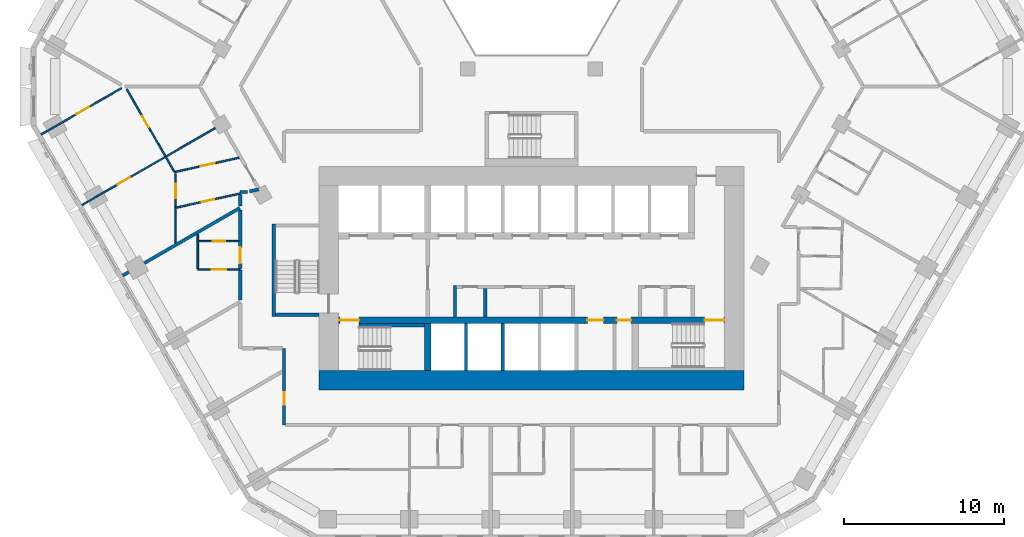
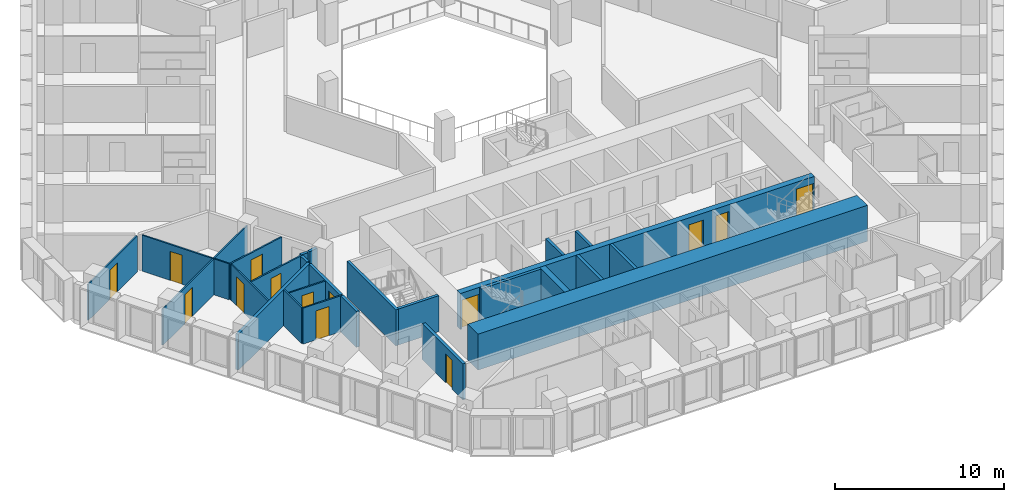
# One storey, part 4 of 21: 27 walls, 14 doors, 14 openings.
"""IFC4 building model written with IfcOpenShell, lengths in metres."""

from ifc_helpers import new_model, si_unit, direction, frame, frame_2d, origin, place, context, subcontext, project, spatial, rectangle, extrude, material, layer, layer_set, type_object, element, fill, save


model = new_model("IFC4")

# Units and contexts
model_context = context("Model", 3, precision=1e-05, world=origin(), true_north=direction((0.0, 1.0)))
body_context = subcontext(model_context, "Body", "Model", "MODEL_VIEW")
ifc_project = project(units=[si_unit("LENGTHUNIT", "METRE"), si_unit("AREAUNIT", "SQUARE_METRE"), si_unit("VOLUMEUNIT", "CUBIC_METRE"), si_unit("PLANEANGLEUNIT", "RADIAN"), si_unit("MASSUNIT", "GRAM", prefix="KILO")], contexts=[model_context])

# Site, building, storey
site_placement = place(None, origin())
site = spatial("IfcSite", under=ifc_project, at=site_placement, CompositionType="ELEMENT")
building_placement = place(site_placement, origin())
building = spatial("IfcBuilding", under=site, at=building_placement, Name="Beryl Residences", CompositionType="ELEMENT")
storey_placement = place(building_placement, frame((0.0, 0.0, 59.39990234375)))
storey = spatial("IfcBuildingStorey", under=building, at=storey_placement, Name="L18", CompositionType="ELEMENT", Elevation=59.39990234375)

# Wall, opening, door
ifc_material_1 = material(Name="Gypsum board partition on steel studs", Category="steel")
ifc_layer_1 = layer(ifc_material_1, 0.10009765625)
ifc_layer_set_1 = layer_set([ifc_layer_1], Name="PT1 partition 100 mm gypsum board on steel studs")
wall_type_1 = type_object("IfcWallType", Name="PT1 partition 100 mm gypsum board on steel studs", PredefinedType="PARTITIONING", material=ifc_layer_set_1)
wall_1_placement = place(storey_placement, frame((-25.35791015625, -0.174072265625, 0.0), z_axis=(0.0, 0.0, 1.0), x_axis=(0.500093956194, -0.865971151354, 0.0)))
wall_1 = element("IfcWall", 1, at=wall_1_placement, inside=storey, type_object=wall_type_1, Name="Wall PT1 L18 002", PredefinedType="PARTITIONING", context=body_context, shape_type="SweptSolid", body=[
    extrude(rectangle(XDim=4.873046875, YDim=0.10009765625, at=frame_2d((2.4365234375, 0.0))), origin(), (0.0, 0.0, 1.0), 2.60009765625),
])
opening_1_placement = place(wall_1_placement, frame((1.93701171875, 0.0, 0.0)))
opening_1 = element("IfcOpeningElement", 2, at=opening_1_placement, cuts=wall_1, Name="Opening D0351", PredefinedType="OPENING", context=body_context, shape_type="SweptSolid", body=[
    extrude(rectangle(XDim=0.800048828125, YDim=2.10009765625, at=frame_2d((0.39990234375, 1.050048828125))), frame((0.0, 0.06005859375, 0.0), z_axis=(0.0, -1.0, 0.0), x_axis=(1.0, 0.0, 0.0)), (0.0, 0.0, 1.0), 0.1201171875),
])
ifc_material_2 = material(Name="Timber door leaf", Category="wood")
door_type_1 = type_object("IfcDoorType", Name="D3 bathroom door 800 x 2100 mm", OperationType="SINGLE_SWING_LEFT", PredefinedType="DOOR", material=ifc_material_2)
door_1_placement = place(opening_1_placement, origin())
door_1 = element("IfcDoor", 3, at=door_1_placement, inside=storey, type_object=door_type_1, Name="Door D0351 L18 001", OperationType="SINGLE_SWING_LEFT", OverallHeight=2.10009765625, OverallWidth=0.800048828125, PredefinedType="DOOR", context=body_context, shape_type="SweptSolid", body=[
    extrude(rectangle(XDim=0.800048828125, YDim=2.10009765625, at=frame_2d((0.39990234375, 1.050048828125))), frame((0.0, 0.02490234375, 0.0), z_axis=(0.0, -1.0, 0.0), x_axis=(1.0, 0.0, 0.0)), (0.0, 0.0, 1.0), 0.050048828125),
])
fill(opening_1, door_1)

# Wall
wall_2_placement = place(storey_placement, frame((-20.909912109375, -9.242919921875, 0.0), z_axis=(0.0, 0.0, 1.0), x_axis=(0.0, -1.0, 0.0)))
element("IfcWall", 4, at=wall_2_placement, inside=storey, type_object=wall_type_1, Name="Wall PT1 L18 012", PredefinedType="PARTITIONING", context=body_context, shape_type="SweptSolid", body=[
    extrude(rectangle(XDim=2.1630859375, YDim=0.10009765625, at=frame_2d((1.08154296875, 0.0))), origin(), (0.0, 0.0, 1.0), 2.60009765625),
])

# Wall, opening, door
wall_3_placement = place(storey_placement, frame((-20.860107421875, -9.68896484375, 0.0), z_axis=(0.0, 0.0, 1.0), x_axis=(1.0, 0.0, 0.0)))
wall_3 = element("IfcWall", 5, at=wall_3_placement, inside=storey, type_object=wall_type_1, Name="Wall PT1 L18 029", PredefinedType="PARTITIONING", context=body_context, shape_type="SweptSolid", body=[
    extrude(rectangle(XDim=2.510009765625, YDim=0.10009765625, at=frame_2d((1.2548828125, 0.0))), origin(), (0.0, 0.0, 1.0), 2.60009765625),
])
opening_2_placement = place(wall_3_placement, frame((0.8798828125, 0.0, 0.0)))
opening_2 = element("IfcOpeningElement", 6, at=opening_2_placement, cuts=wall_3, Name="Opening D0354", PredefinedType="OPENING", context=body_context, shape_type="SweptSolid", body=[
    extrude(rectangle(XDim=0.800048828125, YDim=2.10009765625, at=frame_2d((0.39990234375, 1.050048828125))), frame((0.0, 0.06005859375, 0.0), z_axis=(0.0, -1.0, 0.0), x_axis=(1.0, 0.0, 0.0)), (0.0, 0.0, 1.0), 0.1201171875),
])
door_2_placement = place(opening_2_placement, origin())
door_2 = element("IfcDoor", 7, at=door_2_placement, inside=storey, type_object=door_type_1, Name="Door D0354 L18 001", OperationType="SINGLE_SWING_RIGHT", OverallHeight=2.10009765625, OverallWidth=0.800048828125, PredefinedType="DOOR", context=body_context, shape_type="SweptSolid", body=[
    extrude(rectangle(XDim=0.800048828125, YDim=2.10009765625, at=frame_2d((0.39990234375, 1.050048828125))), frame((0.0, 0.02490234375, 0.0), z_axis=(0.0, -1.0, 0.0), x_axis=(1.0, 0.0, 0.0)), (0.0, 0.0, 1.0), 0.050048828125),
])
fill(opening_2, door_2)

wall_4_placement = place(storey_placement, frame((-20.908935546875, -11.45703125, 0.0), z_axis=(0.0, 0.0, 1.0), x_axis=(1.0, 0.0, 0.0)))
wall_4 = element("IfcWall", 8, at=wall_4_placement, inside=storey, type_object=wall_type_1, Name="Wall PT1 L18 030", PredefinedType="PARTITIONING", context=body_context, shape_type="SweptSolid", body=[
    extrude(rectangle(XDim=2.658935546875, YDim=0.10009765625, at=frame_2d((1.32958984375, 0.0))), origin(), (0.0, 0.0, 1.0), 2.60009765625),
])
opening_3_placement = place(wall_4_placement, frame((0.87890625, 0.0, 0.0)))
opening_3 = element("IfcOpeningElement", 9, at=opening_3_placement, cuts=wall_4, Name="Opening D0353", PredefinedType="OPENING", context=body_context, shape_type="SweptSolid", body=[
    extrude(rectangle(XDim=0.89990234375, YDim=2.10009765625, at=frame_2d((0.449951171875, 1.050048828125))), frame((0.0, 0.06005859375, 0.0), z_axis=(0.0, -1.0, 0.0), x_axis=(1.0, 0.0, 0.0)), (0.0, 0.0, 1.0), 0.1201171875),
])
ifc_material_3 = material(Name="Timber door leaf", Category="wood")
door_type_2 = type_object("IfcDoorType", Name="D2 room door 900 x 2100 mm", OperationType="SINGLE_SWING_LEFT", PredefinedType="DOOR", material=ifc_material_3)
door_3_placement = place(opening_3_placement, origin())
door_3 = element("IfcDoor", 10, at=door_3_placement, inside=storey, type_object=door_type_2, Name="Door D0353 L18 001", OperationType="SINGLE_SWING_LEFT", OverallHeight=2.10009765625, OverallWidth=0.89990234375, PredefinedType="DOOR", context=body_context, shape_type="SweptSolid", body=[
    extrude(rectangle(XDim=0.89990234375, YDim=2.10009765625, at=frame_2d((0.449951171875, 1.050048828125))), frame((0.0, 0.02490234375, 0.0), z_axis=(0.0, -1.0, 0.0), x_axis=(1.0, 0.0, 0.0)), (0.0, 0.0, 1.0), 0.050048828125),
])
fill(opening_3, door_3)

wall_5_placement = place(storey_placement, frame((-22.297119140625, -9.81298828125, 0.0), z_axis=(0.0, 0.0, 1.0), x_axis=(0.0, 1.0, 0.0)))
wall_5 = element("IfcWall", 11, at=wall_5_placement, inside=storey, type_object=wall_type_1, Name="Wall PT1 L18 066", PredefinedType="PARTITIONING", context=body_context, shape_type="SweptSolid", body=[
    extrude(rectangle(XDim=4.337890625, YDim=0.10009765625, at=frame_2d((2.1689453125, 0.0))), origin(), (0.0, 0.0, 1.0), 2.60009765625),
])
opening_4_placement = place(wall_5_placement, frame((2.818115234375, 0.0, 0.0)))
opening_4 = element("IfcOpeningElement", 12, at=opening_4_placement, cuts=wall_5, Name="Opening D0348", PredefinedType="OPENING", context=body_context, shape_type="SweptSolid", body=[
    extrude(rectangle(XDim=0.89990234375, YDim=2.10009765625, at=frame_2d((0.449951171875, 1.050048828125))), frame((0.0, 0.06005859375, 0.0), z_axis=(0.0, -1.0, 0.0), x_axis=(1.0, 0.0, 0.0)), (0.0, 0.0, 1.0), 0.1201171875),
])
door_4_placement = place(opening_4_placement, origin())
door_4 = element("IfcDoor", 13, at=door_4_placement, inside=storey, type_object=door_type_2, Name="Door D0348 L18 001", OperationType="SINGLE_SWING_RIGHT", OverallHeight=2.10009765625, OverallWidth=0.89990234375, PredefinedType="DOOR", context=body_context, shape_type="SweptSolid", body=[
    extrude(rectangle(XDim=0.89990234375, YDim=2.10009765625, at=frame_2d((0.449951171875, 1.050048828125))), frame((0.0, 0.02490234375, 0.0), z_axis=(0.0, -1.0, 0.0), x_axis=(1.0, 0.0, 0.0)), (0.0, 0.0, 1.0), 0.050048828125),
])
fill(opening_4, door_4)

wall_6_placement = place(storey_placement, frame((-22.364990234375, -5.35693359375, 0.0), z_axis=(0.0, 0.0, 1.0), x_axis=(0.976339488582, 0.216243388421, 0.0)))
wall_6 = element("IfcWall", 14, at=wall_6_placement, inside=storey, type_object=wall_type_1, Name="Wall PT1 L18 067", PredefinedType="PARTITIONING", context=body_context, shape_type="SweptSolid", body=[
    extrude(rectangle(XDim=4.138916015625, YDim=0.10009765625, at=frame_2d((2.0693359375, 0.0))), origin(), (0.0, 0.0, 1.0), 2.60009765625),
])
opening_5_placement = place(wall_6_placement, frame((1.672119140625, 0.0, 0.0)))
opening_5 = element("IfcOpeningElement", 15, at=opening_5_placement, cuts=wall_6, Name="Opening D0346", PredefinedType="OPENING", context=body_context, shape_type="SweptSolid", body=[
    extrude(rectangle(XDim=0.89990234375, YDim=2.10009765625, at=frame_2d((0.449951171875, 1.050048828125))), frame((0.0, 0.06005859375, 0.0), z_axis=(0.0, -1.0, 0.0), x_axis=(1.0, 0.0, 0.0)), (0.0, 0.0, 1.0), 0.1201171875),
])
door_5_placement = place(opening_5_placement, origin())
door_5 = element("IfcDoor", 16, at=door_5_placement, inside=storey, type_object=door_type_2, Name="Door D0346 L18 001", OperationType="SINGLE_SWING_RIGHT", OverallHeight=2.10009765625, OverallWidth=0.89990234375, PredefinedType="DOOR", context=body_context, shape_type="SweptSolid", body=[
    extrude(rectangle(XDim=0.89990234375, YDim=2.10009765625, at=frame_2d((0.449951171875, 1.050048828125))), frame((0.0, 0.02490234375, 0.0), z_axis=(0.0, -1.0, 0.0), x_axis=(1.0, 0.0, 0.0)), (0.0, 0.0, 1.0), 0.050048828125),
])
fill(opening_5, door_5)

wall_7_placement = place(storey_placement, frame((-22.2470703125, -7.583984375, 0.0), z_axis=(0.0, 0.0, 1.0), x_axis=(0.97635375062, 0.216178985219, 0.0)))
wall_7 = element("IfcWall", 17, at=wall_7_placement, inside=storey, type_object=wall_type_1, Name="Wall PT1 L18 068", PredefinedType="PARTITIONING", context=body_context, shape_type="SweptSolid", body=[
    extrude(rectangle(XDim=4.093994140625, YDim=0.10009765625, at=frame_2d((2.046875, 0.0))), origin(), (0.0, 0.0, 1.0), 2.60009765625),
])
opening_6_placement = place(wall_7_placement, frame((1.62109375, 0.0, 0.0)))
opening_6 = element("IfcOpeningElement", 18, at=opening_6_placement, cuts=wall_7, Name="Opening D0347", PredefinedType="OPENING", context=body_context, shape_type="SweptSolid", body=[
    extrude(rectangle(XDim=0.800048828125, YDim=2.10009765625, at=frame_2d((0.39990234375, 1.050048828125))), frame((0.0, 0.06005859375, 0.0), z_axis=(0.0, -1.0, 0.0), x_axis=(1.0, 0.0, 0.0)), (0.0, 0.0, 1.0), 0.1201171875),
])
door_6_placement = place(opening_6_placement, origin())
door_6 = element("IfcDoor", 19, at=door_6_placement, inside=storey, type_object=door_type_1, Name="Door D0347 L18 001", OperationType="SINGLE_SWING_LEFT", OverallHeight=2.10009765625, OverallWidth=0.800048828125, PredefinedType="DOOR", context=body_context, shape_type="SweptSolid", body=[
    extrude(rectangle(XDim=0.800048828125, YDim=2.10009765625, at=frame_2d((0.39990234375, 1.050048828125))), frame((0.0, 0.02490234375, 0.0), z_axis=(0.0, -1.0, 0.0), x_axis=(1.0, 0.0, 0.0)), (0.0, 0.0, 1.0), 0.050048828125),
])
fill(opening_6, door_6)

wall_8_placement = place(storey_placement, frame((-28.1630859375, -7.419921875, 0.0), z_axis=(0.0, 0.0, 1.0), x_axis=(0.866065245018, 0.499930986609, 0.0)))
wall_8 = element("IfcWall", 20, at=wall_8_placement, inside=storey, type_object=wall_type_1, Name="Wall PT1 L18 071", PredefinedType="PARTITIONING", context=body_context, shape_type="SweptSolid", body=[
    extrude(rectangle(XDim=9.99951171875, YDim=0.10009765625, at=frame_2d((4.999755859375, 0.0))), origin(), (0.0, 0.0, 1.0), 2.60009765625),
])
opening_7_placement = place(wall_8_placement, frame((2.575927734375, 0.0, 0.0)))
opening_7 = element("IfcOpeningElement", 21, at=opening_7_placement, cuts=wall_8, Name="Opening D0349", PredefinedType="OPENING", context=body_context, shape_type="SweptSolid", body=[
    extrude(rectangle(XDim=0.89990234375, YDim=2.10009765625, at=frame_2d((0.449951171875, 1.050048828125))), frame((0.0, 0.06005859375, 0.0), z_axis=(0.0, -1.0, 0.0), x_axis=(1.0, 0.0, 0.0)), (0.0, 0.0, 1.0), 0.1201171875),
])
door_7_placement = place(opening_7_placement, origin())
door_7 = element("IfcDoor", 22, at=door_7_placement, inside=storey, type_object=door_type_2, Name="Door D0349 L18 001", OperationType="SINGLE_SWING_LEFT", OverallHeight=2.10009765625, OverallWidth=0.89990234375, PredefinedType="DOOR", context=body_context, shape_type="SweptSolid", body=[
    extrude(rectangle(XDim=0.89990234375, YDim=2.10009765625, at=frame_2d((0.449951171875, 1.050048828125))), frame((0.0, 0.02490234375, 0.0), z_axis=(0.0, -1.0, 0.0), x_axis=(1.0, 0.0, 0.0)), (0.0, 0.0, 1.0), 0.050048828125),
])
fill(opening_7, door_7)

wall_9_placement = place(storey_placement, frame((-30.715087890625, -3.0, 0.0), z_axis=(0.0, 0.0, 1.0), x_axis=(0.866116197112, 0.49984270836, 0.0)))
wall_9 = element("IfcWall", 23, at=wall_9_placement, inside=storey, type_object=wall_type_1, Name="Wall PT1 L18 072", PredefinedType="PARTITIONING", context=body_context, shape_type="SweptSolid", body=[
    extrude(rectangle(XDim=5.799560546875, YDim=0.10009765625, at=frame_2d((2.89990234375, 0.0))), origin(), (0.0, 0.0, 1.0), 2.60009765625),
])
opening_8_placement = place(wall_9_placement, frame((2.550048828125, 0.0, 0.0)))
opening_8 = element("IfcOpeningElement", 24, at=opening_8_placement, cuts=wall_9, Name="Opening D0350", PredefinedType="OPENING", context=body_context, shape_type="SweptSolid", body=[
    extrude(rectangle(XDim=0.89990234375, YDim=2.10009765625, at=frame_2d((0.449951171875, 1.050048828125))), frame((0.0, 0.06005859375, 0.0), z_axis=(0.0, -1.0, 0.0), x_axis=(1.0, 0.0, 0.0)), (0.0, 0.0, 1.0), 0.1201171875),
])
door_8_placement = place(opening_8_placement, origin())
door_8 = element("IfcDoor", 25, at=door_8_placement, inside=storey, type_object=door_type_2, Name="Door D0350 L18 001", OperationType="SINGLE_SWING_RIGHT", OverallHeight=2.10009765625, OverallWidth=0.89990234375, PredefinedType="DOOR", context=body_context, shape_type="SweptSolid", body=[
    extrude(rectangle(XDim=0.89990234375, YDim=2.10009765625, at=frame_2d((0.449951171875, 1.050048828125))), frame((0.0, 0.02490234375, 0.0), z_axis=(0.0, -1.0, 0.0), x_axis=(1.0, 0.0, 0.0)), (0.0, 0.0, 1.0), 0.050048828125),
])
fill(opening_8, door_8)

# Walls
wall_10_placement = place(storey_placement, frame((-22.9208984375, -4.39404296875, 0.0), z_axis=(0.0, 0.0, 1.0), x_axis=(0.499565963512, -0.866275849889, 0.0)))
element("IfcWall", 26, at=wall_10_placement, inside=storey, type_object=wall_type_1, Name="Wall PT1 L18 078", PredefinedType="PARTITIONING", context=body_context, shape_type="SweptSolid", body=[
    extrude(rectangle(XDim=1.08056640625, YDim=0.10009765625, at=frame_2d((0.540283203125, 0.0))), origin(), (0.0, 0.0, 1.0), 2.60009765625),
])
ifc_material_4 = material(Name="Concrete masonry", Category="masonry")
ifc_layer_2 = layer(ifc_material_4, 0.199951171875)
ifc_layer_set_2 = layer_set([ifc_layer_2], Name="PT13 lobby wall 200 mm")
wall_type_2 = type_object("IfcWallType", Name="PT13 lobby wall 200 mm", PredefinedType="PARTITIONING", material=ifc_layer_set_2)
wall_11_placement = place(storey_placement, frame((-4.800048828125, -14.449951171875, 0.0), z_axis=(0.0, 0.0, 1.0), x_axis=(0.0, 1.0, 0.0)))
element("IfcWall", 27, at=wall_11_placement, inside=storey, type_object=wall_type_2, Name="Lobby wall 07", PredefinedType="PARTITIONING", context=body_context, shape_type="SweptSolid", body=[
    extrude(rectangle(XDim=2.0, YDim=0.199951171875, at=frame_2d((1.0, 0.0))), origin(), (0.0, 0.0, 1.0), 2.60009765625),
])
ifc_material_5 = material(Name="Acoustic double stud gypsum board wall")
ifc_layer_3 = layer(ifc_material_5, 0.199951171875)
ifc_layer_set_3 = layer_set([ifc_layer_3], Name="PT3 party wall 200 mm acoustic double stud")
wall_type_3 = type_object("IfcWallType", Name="PT3 party wall 200 mm acoustic double stud", PredefinedType="PARTITIONING", material=ifc_layer_set_3)
wall_12_placement = place(storey_placement, frame((-17.6689453125, -6.570068359375, 0.0), z_axis=(0.0, 0.0, 1.0), x_axis=(0.976422724526, 0.215867234728, 0.0)))
element("IfcWall", 28, at=wall_12_placement, inside=storey, type_object=wall_type_3, Name="Wall PT3 L18 024", PredefinedType="PARTITIONING", context=body_context, shape_type="SweptSolid", body=[
    extrude(rectangle(XDim=0.58349609375, YDim=0.199951171875, at=frame_2d((0.291748046875, 0.0))), origin(), (0.0, 0.0, 1.0), 2.60009765625),
])
wall_13_placement = place(storey_placement, frame((-25.610107421875, -11.841064453125, 0.0), z_axis=(0.0, 0.0, 1.0), x_axis=(0.866019023803, 0.500011050288, 0.0)))
element("IfcWall", 29, at=wall_13_placement, inside=storey, type_object=wall_type_3, Name="Wall PT3 L18 030", PredefinedType="PARTITIONING", context=body_context, shape_type="SweptSolid", body=[
    extrude(rectangle(XDim=8.469970703125, YDim=0.199951171875, at=frame_2d((4.23486328125, 0.0))), origin(), (0.0, 0.0, 1.0), 2.60009765625),
])
ifc_material_6 = material(Name="Double stud gypsum board wall")
ifc_layer_4 = layer(ifc_material_6, 0.199951171875)
ifc_layer_set_4 = layer_set([ifc_layer_4], Name="PT4 corridor wall 200 mm double stud")
wall_type_4 = type_object("IfcWallType", Name="PT4 corridor wall 200 mm double stud", PredefinedType="PARTITIONING", material=ifc_layer_set_4)
wall_14_placement = place(storey_placement, frame((-18.25, -11.507080078125, 0.0), z_axis=(0.0, 0.0, 1.0), x_axis=(0.0, -1.0, 0.0)))
element("IfcWall", 30, at=wall_14_placement, inside=storey, type_object=wall_type_4, Name="Wall PT4 L18 007", PredefinedType="PARTITIONING", context=body_context, shape_type="SweptSolid", body=[
    extrude(rectangle(XDim=1.86181640625, YDim=0.199951171875, at=frame_2d((0.930908203125, 0.0))), origin(), (0.0, 0.0, 1.0), 2.60009765625),
])
wall_15_placement = place(storey_placement, frame((-18.25, -6.60009765625, 0.0), z_axis=(0.0, 0.0, 1.0), x_axis=(1.0, 0.0, 0.0)))
element("IfcWall", 31, at=wall_15_placement, inside=storey, type_object=wall_type_4, Name="Wall PT4 L18 008", PredefinedType="PARTITIONING", context=body_context, shape_type="SweptSolid", body=[
    extrude(rectangle(XDim=0.445068359375, YDim=0.199951171875, at=frame_2d((0.22265625, 0.0))), origin(), (0.0, 0.0, 1.0), 2.60009765625),
])

# Wall, opening, door
wall_16_placement = place(storey_placement, frame((-15.5, -21.199951171875, 0.0), z_axis=(0.0, 0.0, 1.0), x_axis=(0.0, 1.0, 0.0)))
wall_16 = element("IfcWall", 32, at=wall_16_placement, inside=storey, type_object=wall_type_4, Name="Wall PT4 L18 030", PredefinedType="PARTITIONING", context=body_context, shape_type="SweptSolid", body=[
    extrude(rectangle(XDim=4.800048828125, YDim=0.199951171875, at=frame_2d((2.39990234375, 0.0))), origin(), (0.0, 0.0, 1.0), 2.60009765625),
])
opening_9_placement = place(wall_16_placement, frame((1.258056640625, 0.0, 0.0)))
opening_9 = element("IfcOpeningElement", 33, at=opening_9_placement, cuts=wall_16, Name="Opening D0356", PredefinedType="OPENING", context=body_context, shape_type="SweptSolid", body=[
    extrude(rectangle(XDim=0.800048828125, YDim=2.10009765625, at=frame_2d((0.39990234375, 1.050048828125))), frame((0.0, 0.10986328125, 0.0), z_axis=(0.0, -1.0, 0.0), x_axis=(1.0, 0.0, 0.0)), (0.0, 0.0, 1.0), 0.219970703125),
])
door_9_placement = place(opening_9_placement, origin())
door_9 = element("IfcDoor", 34, at=door_9_placement, inside=storey, type_object=door_type_1, Name="Door D0356 L18 001", OperationType="SINGLE_SWING_RIGHT", OverallHeight=2.10009765625, OverallWidth=0.800048828125, PredefinedType="DOOR", context=body_context, shape_type="SweptSolid", body=[
    extrude(rectangle(XDim=0.800048828125, YDim=2.10009765625, at=frame_2d((0.39990234375, 1.050048828125))), frame((0.0, 0.02490234375, 0.0), z_axis=(0.0, -1.0, 0.0), x_axis=(1.0, 0.0, 0.0)), (0.0, 0.0, 1.0), 0.050048828125),
])
fill(opening_9, door_9)

wall_17_placement = place(storey_placement, frame((-18.25, -11.406982421875, 0.0), z_axis=(0.0, 0.0, 1.0), x_axis=(0.0, 1.0, 0.0)))
wall_17 = element("IfcWall", 35, at=wall_17_placement, inside=storey, type_object=wall_type_4, Name="Wall PT4 L18 033", PredefinedType="PARTITIONING", context=body_context, shape_type="SweptSolid", body=[
    extrude(rectangle(XDim=3.6650390625, YDim=0.199951171875, at=frame_2d((1.83251953125, 0.0))), origin(), (0.0, 0.0, 1.0), 2.60009765625),
])
opening_10_placement = place(wall_17_placement, frame((0.333984375, 0.0, 0.0)))
opening_10 = element("IfcOpeningElement", 36, at=opening_10_placement, cuts=wall_17, Name="Opening D0352", PredefinedType="OPENING", context=body_context, shape_type="SweptSolid", body=[
    extrude(rectangle(XDim=1.0, YDim=2.10009765625, at=frame_2d((0.5, 1.050048828125))), frame((0.0, 0.10986328125, 0.0), z_axis=(0.0, -1.0, 0.0), x_axis=(1.0, 0.0, 0.0)), (0.0, 0.0, 1.0), 0.219970703125),
])
ifc_material_7 = material(Name="Timber door leaf", Category="wood")
door_type_3 = type_object("IfcDoorType", Name="D1 flat entrance door 1000 x 2100 mm", OperationType="SINGLE_SWING_LEFT", PredefinedType="DOOR", material=ifc_material_7)
door_10_placement = place(opening_10_placement, origin())
door_10 = element("IfcDoor", 37, at=door_10_placement, inside=storey, type_object=door_type_3, Name="Door D0352 L18 001", OperationType="SINGLE_SWING_RIGHT", OverallHeight=2.10009765625, OverallWidth=1.0, PredefinedType="DOOR", context=body_context, shape_type="SweptSolid", body=[
    extrude(rectangle(XDim=1.0, YDim=2.10009765625, at=frame_2d((0.5, 1.050048828125))), frame((0.0, 0.02490234375, 0.0), z_axis=(0.0, -1.0, 0.0), x_axis=(1.0, 0.0, 0.0)), (0.0, 0.0, 1.0), 0.050048828125),
])
fill(opening_10, door_10)

# Walls
wall_18_placement = place(storey_placement, frame((-18.25, -7.47607421875, 0.0), z_axis=(0.0, 0.0, 1.0), x_axis=(0.0, 1.0, 0.0)))
element("IfcWall", 38, at=wall_18_placement, inside=storey, type_object=wall_type_4, Name="Wall PT4 L18 034", PredefinedType="PARTITIONING", context=body_context, shape_type="SweptSolid", body=[
    extrude(rectangle(XDim=0.72607421875, YDim=0.199951171875, at=frame_2d((0.363037109375, 0.0))), origin(), (0.0, 0.0, 1.0), 2.60009765625),
])
ifc_material_8 = material(Name="Concrete C40/50", Category="concrete")
ifc_layer_5 = layer(ifc_material_8, 0.199951171875)
ifc_layer_set_5 = layer_set([ifc_layer_5], Name="PT5 stair enclosure wall 200 mm reinforced concrete C40/50")
wall_type_5 = type_object("IfcWallType", Name="PT5 stair enclosure wall 200 mm reinforced concrete C40/50", PredefinedType="SOLIDWALL", material=ifc_layer_set_5)
wall_19_placement = place(storey_placement, frame((-16.14990234375, -14.39990234375, 0.0), z_axis=(0.0, 0.0, 1.0), x_axis=(0.0, 1.0, 0.0)))
element("IfcWall", 39, at=wall_19_placement, inside=storey, type_object=wall_type_5, Name="Stair wall 01", PredefinedType="SOLIDWALL", context=body_context, shape_type="SweptSolid", body=[
    extrude(rectangle(XDim=5.7998046875, YDim=0.199951171875, at=frame_2d((2.89990234375, 0.0))), origin(), (0.0, 0.0, 1.0), 2.60009765625),
])
wall_20_placement = place(storey_placement, frame((-16.050048828125, -14.300048828125, 0.0), z_axis=(0.0, 0.0, 1.0), x_axis=(1.0, 0.0, 0.0)))
element("IfcWall", 40, at=wall_20_placement, inside=storey, type_object=wall_type_5, Name="Stair wall 02", PredefinedType="SOLIDWALL", context=body_context, shape_type="SweptSolid", body=[
    extrude(rectangle(XDim=2.75, YDim=0.199951171875, at=frame_2d((1.375, 0.0))), origin(), (0.0, 0.0, 1.0), 2.60009765625),
])
wall_21_placement = place(storey_placement, frame((-10.800048828125, -14.949951171875, 0.0), z_axis=(0.0, 0.0, 1.0), x_axis=(1.0, 0.0, 0.0)))
element("IfcWall", 41, at=wall_21_placement, inside=storey, type_object=wall_type_5, Name="Stair wall 04", PredefinedType="SOLIDWALL", context=body_context, shape_type="SweptSolid", body=[
    extrude(rectangle(XDim=4.10009765625, YDim=0.199951171875, at=frame_2d((2.050048828125, 0.0))), origin(), (0.0, 0.0, 1.0), 2.60009765625),
])
ifc_material_9 = material(Name="Concrete C40/50", Category="concrete")
ifc_layer_6 = layer(ifc_material_9, 0.199951171875)
ifc_layer_set_6 = layer_set([ifc_layer_6], Name="PT6 lift shaft wall 200 mm reinforced concrete C40/50")
wall_type_6 = type_object("IfcWallType", Name="PT6 lift shaft wall 200 mm reinforced concrete C40/50", PredefinedType="SOLIDWALL", material=ifc_layer_set_6)
for number, where, z_axis, x_axis, name in (
    (42, (-4.10009765625, -17.800048828125, 0.0), (0.0, 0.0, 1.0), (0.0, 1.0, 0.0), "Lift shaft wall 09"),
    (43, (-1.800048828125, -17.800048828125, 0.0), (0.0, 0.0, 1.0), (0.0, 1.0, 0.0), "Lift shaft wall 12"),
):
    element("IfcWall", number, at=place(storey_placement, frame(where, z_axis=z_axis, x_axis=x_axis)), inside=storey, type_object=wall_type_6, Name=name, PredefinedType="SOLIDWALL", context=body_context, shape_type="SweptSolid", body=[
        extrude(rectangle(XDim=2.949951171875, YDim=0.199951171875, at=frame_2d((1.47509765625, 0.0))), origin(), (0.0, 0.0, 1.0), 2.60009765625),
    ])
ifc_material_10 = material(Name="Concrete masonry", Category="masonry")
ifc_layer_7 = layer(ifc_material_10, 0.199951171875)
ifc_layer_set_7 = layer_set([ifc_layer_7], Name="PT8-200 service room wall 200 mm")
wall_type_7 = type_object("IfcWallType", Name="PT8-200 service room wall 200 mm", PredefinedType="PARTITIONING", material=ifc_layer_set_7)
wall_22_placement = place(storey_placement, frame((-2.89990234375, -14.449951171875, 0.0), z_axis=(0.0, 0.0, 1.0), x_axis=(0.0, 1.0, 0.0)))
element("IfcWall", 44, at=wall_22_placement, inside=storey, type_object=wall_type_7, Name="Core room wall 11", PredefinedType="PARTITIONING", context=body_context, shape_type="SweptSolid", body=[
    extrude(rectangle(XDim=1.800048828125, YDim=0.199951171875, at=frame_2d((0.89990234375, 0.0))), origin(), (0.0, 0.0, 1.0), 2.60009765625),
])
ifc_material_11 = material(Name="Concrete C80/95", Category="concrete")
ifc_layer_8 = layer(ifc_material_11, 1.199951171875)
ifc_layer_set_8 = layer_set([ifc_layer_8], Name="SW1 core outer wall 1200 mm C80/95")
wall_type_8 = type_object("IfcWallType", Name="SW1 core outer wall 1200 mm C80/95", PredefinedType="SHEAR", material=ifc_layer_set_8)
wall_23_placement = place(storey_placement, frame((-13.300048828125, -18.39990234375, 0.0), z_axis=(0.0, 0.0, 1.0), x_axis=(1.0, 0.0, 0.0)))
element("IfcWall", 45, at=wall_23_placement, inside=storey, type_object=wall_type_8, Name="Core wall S L18", PredefinedType="SHEAR", context=body_context, shape_type="SweptSolid", body=[
    extrude(rectangle(XDim=26.60009765625, YDim=1.199951171875, at=frame_2d((13.300048828125, 0.0))), origin(), (0.0, 0.0, 1.0), 2.60009765625),
])

# Wall, openings, doors
ifc_material_12 = material(Name="Concrete C80/95", Category="concrete")
ifc_layer_9 = layer(ifc_material_12, 0.39990234375)
ifc_layer_set_9 = layer_set([ifc_layer_9], Name="SW6 core internal wall 400 mm C80/95")
wall_type_9 = type_object("IfcWallType", Name="SW6 core internal wall 400 mm C80/95", PredefinedType="SHEAR", material=ifc_layer_set_9)
wall_24_placement = place(storey_placement, frame((-12.10009765625, -14.64990234375, 0.0), z_axis=(0.0, 0.0, 1.0), x_axis=(1.0, 0.0, 0.0)))
wall_24 = element("IfcWall", 46, at=wall_24_placement, inside=storey, type_object=wall_type_9, Name="Core wall SP1 L18", PredefinedType="SHEAR", context=body_context, shape_type="SweptSolid", body=[
    extrude(rectangle(XDim=24.2001953125, YDim=0.39990234375, at=frame_2d((12.10009765625, 0.0))), origin(), (0.0, 0.0, 1.0), 2.60009765625),
])
opening_11_placement = place(wall_24_placement, frame((1.300048828125, 0.0, 0.0), z_axis=(0.0, 0.0, 1.0), x_axis=(-1.0, 0.0, 0.0)))
opening_11 = element("IfcOpeningElement", 47, at=opening_11_placement, cuts=wall_24, Name="Opening SD-1", PredefinedType="OPENING", context=body_context, shape_type="SweptSolid", body=[
    extrude(rectangle(XDim=1.199951171875, YDim=2.10009765625, at=frame_2d((0.60009765625, 1.050048828125))), frame((0.0, 0.2099609375, 0.0), z_axis=(0.0, -1.0, 0.0), x_axis=(1.0, 0.0, 0.0)), (0.0, 0.0, 1.0), 0.419921875),
])
opening_12_placement = place(wall_24_placement, frame((24.14990234375, 0.0, 0.0), z_axis=(0.0, 0.0, 1.0), x_axis=(-1.0, 0.0, 0.0)))
opening_12 = element("IfcOpeningElement", 48, at=opening_12_placement, cuts=wall_24, Name="Opening SD-3", PredefinedType="OPENING", context=body_context, shape_type="SweptSolid", body=[
    extrude(rectangle(XDim=1.199951171875, YDim=2.10009765625, at=frame_2d((0.60009765625, 1.050048828125))), frame((0.0, 0.2099609375, 0.0), z_axis=(0.0, -1.0, 0.0), x_axis=(1.0, 0.0, 0.0)), (0.0, 0.0, 1.0), 0.419921875),
])
opening_13_placement = place(wall_24_placement, frame((16.60009765625, 0.0, 0.0), z_axis=(0.0, 0.0, 1.0), x_axis=(-1.0, 0.0, 0.0)))
opening_13 = element("IfcOpeningElement", 49, at=opening_13_placement, cuts=wall_24, Name="Opening CD-D-S1", PredefinedType="OPENING", context=body_context, shape_type="SweptSolid", body=[
    extrude(rectangle(XDim=1.0, YDim=2.10009765625, at=frame_2d((0.5, 1.050048828125))), frame((0.0, 0.2099609375, 0.0), z_axis=(0.0, -1.0, 0.0), x_axis=(1.0, 0.0, 0.0)), (0.0, 0.0, 1.0), 0.419921875),
])
opening_14_placement = place(wall_24_placement, frame((18.349853515625, 0.0, 0.0), z_axis=(0.0, 0.0, 1.0), x_axis=(-1.0, 0.0, 0.0)))
opening_14 = element("IfcOpeningElement", 50, at=opening_14_placement, cuts=wall_24, Name="Opening RD-D-S2", PredefinedType="OPENING", context=body_context, shape_type="SweptSolid", body=[
    extrude(rectangle(XDim=0.89990234375, YDim=2.10009765625, at=frame_2d((0.449951171875, 1.050048828125))), frame((0.0, 0.2099609375, 0.0), z_axis=(0.0, -1.0, 0.0), x_axis=(1.0, 0.0, 0.0)), (0.0, 0.0, 1.0), 0.419921875),
])
ifc_material_13 = material(Name="Steel door leaf in steel frame", Category="steel")
door_type_4 = type_object("IfcDoorType", Name="D18 service room door 1000 x 2100 mm", OperationType="SINGLE_SWING_LEFT", PredefinedType="DOOR", material=ifc_material_13)
door_11_placement = place(opening_13_placement, origin())
door_11 = element("IfcDoor", 51, at=door_11_placement, inside=storey, type_object=door_type_4, Name="Door CD-D-S1 L18 001", OperationType="SINGLE_SWING_RIGHT", OverallHeight=2.10009765625, OverallWidth=1.0, PredefinedType="DOOR", context=body_context, shape_type="SweptSolid", body=[
    extrude(rectangle(XDim=1.0, YDim=2.10009765625, at=frame_2d((0.5, 1.050048828125))), frame((0.0, 0.02490234375, 0.0), z_axis=(0.0, -1.0, 0.0), x_axis=(1.0, 0.0, 0.0)), (0.0, 0.0, 1.0), 0.050048828125),
])
fill(opening_13, door_11)
ifc_material_14 = material(Name="Steel door leaf in steel frame", Category="steel")
door_type_5 = type_object("IfcDoorType", Name="D23 riser door 900 x 2100 mm", OperationType="SINGLE_SWING_LEFT", PredefinedType="DOOR", material=ifc_material_14)
door_12_placement = place(opening_14_placement, origin())
door_12 = element("IfcDoor", 52, at=door_12_placement, inside=storey, type_object=door_type_5, Name="Door RD-D-S2 L18 001", OperationType="SINGLE_SWING_LEFT", OverallHeight=2.10009765625, OverallWidth=0.89990234375, PredefinedType="DOOR", context=body_context, shape_type="SweptSolid", body=[
    extrude(rectangle(XDim=0.89990234375, YDim=2.10009765625, at=frame_2d((0.449951171875, 1.050048828125))), frame((0.0, 0.02490234375, 0.0), z_axis=(0.0, -1.0, 0.0), x_axis=(1.0, 0.0, 0.0)), (0.0, 0.0, 1.0), 0.050048828125),
])
fill(opening_14, door_12)
ifc_material_15 = material(Name="Steel door leaf in steel frame", Category="steel")
door_type_6 = type_object("IfcDoorType", Name="D4 stair door 1200 x 2100 mm", OperationType="SINGLE_SWING_LEFT", PredefinedType="DOOR", material=ifc_material_15)
door_13_placement = place(opening_11_placement, origin())
door_13 = element("IfcDoor", 53, at=door_13_placement, inside=storey, type_object=door_type_6, Name="Door SD-1 L18 001", OperationType="SINGLE_SWING_RIGHT", OverallHeight=2.10009765625, OverallWidth=1.199951171875, PredefinedType="DOOR", context=body_context, shape_type="SweptSolid", body=[
    extrude(rectangle(XDim=1.199951171875, YDim=2.10009765625, at=frame_2d((0.60009765625, 1.050048828125))), frame((0.0, 0.02490234375, 0.0), z_axis=(0.0, -1.0, 0.0), x_axis=(1.0, 0.0, 0.0)), (0.0, 0.0, 1.0), 0.050048828125),
])
fill(opening_11, door_13)
door_14_placement = place(opening_12_placement, origin())
door_14 = element("IfcDoor", 54, at=door_14_placement, inside=storey, type_object=door_type_6, Name="Door SD-3 L18 001", OperationType="SINGLE_SWING_RIGHT", OverallHeight=2.10009765625, OverallWidth=1.199951171875, PredefinedType="DOOR", context=body_context, shape_type="SweptSolid", body=[
    extrude(rectangle(XDim=1.199951171875, YDim=2.10009765625, at=frame_2d((0.60009765625, 1.050048828125))), frame((0.0, 0.02490234375, 0.0), z_axis=(0.0, -1.0, 0.0), x_axis=(1.0, 0.0, 0.0)), (0.0, 0.0, 1.0), 0.050048828125),
])
fill(opening_12, door_14)

# Wall
wall_25_placement = place(storey_placement, frame((-6.5, -17.800048828125, 0.0), z_axis=(0.0, 0.0, 1.0), x_axis=(0.0, 1.0, 0.0)))
element("IfcWall", 55, at=wall_25_placement, inside=storey, type_object=wall_type_9, Name="Core wall XS1 L18", PredefinedType="SHEAR", context=body_context, shape_type="SweptSolid", body=[
    extrude(rectangle(XDim=2.949951171875, YDim=0.39990234375, at=frame_2d((1.47509765625, 0.0))), origin(), (0.0, 0.0, 1.0), 2.60009765625),
])

save(model, "model.ifc")
